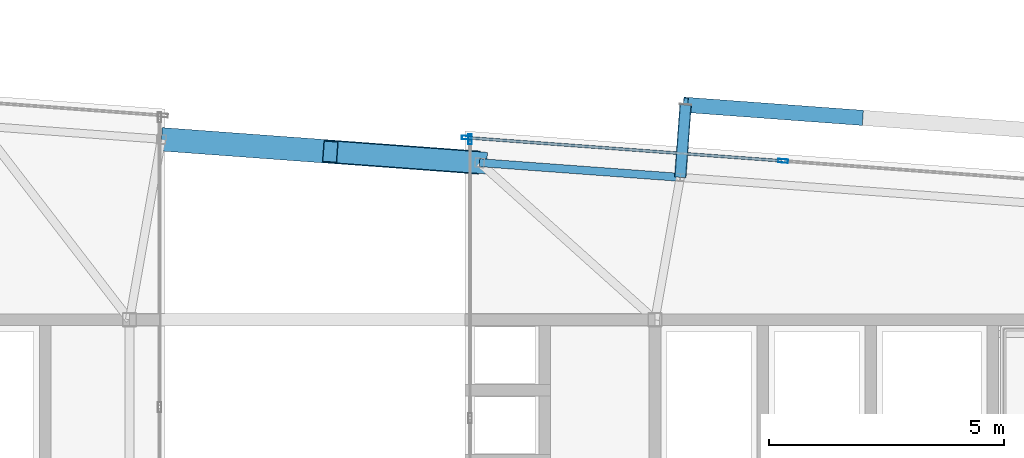
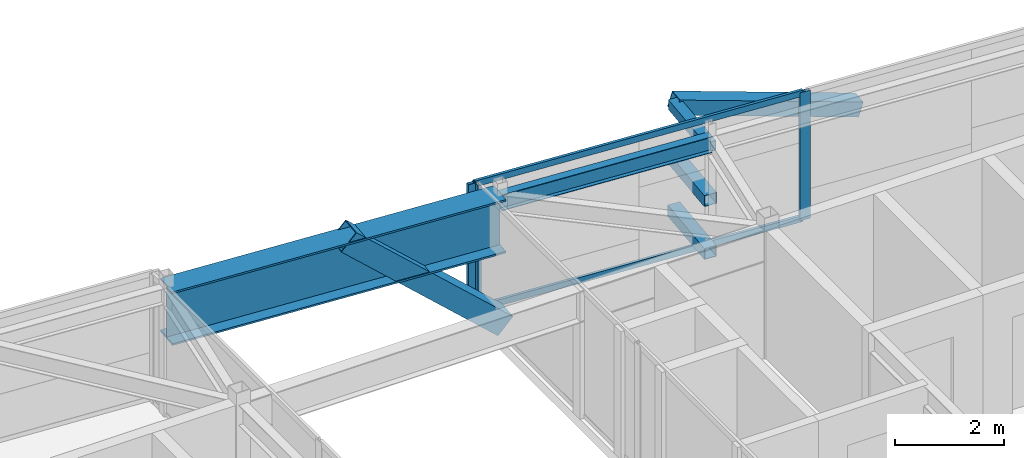
# One storey, part 25 of 40: 10 members, 2 beams, 2 elements without a shape of their own.
"""IFC4 building model written with IfcOpenShell, lengths in metres."""

from ifc_helpers import new_model, si_unit, direction, frame, origin, origin_2d, place, context, subcontext, project, spatial, hollow_rectangle, i_section, extrude, source, transform, mapped, material, layer, layer_set, material_profile, profile_set, type_object, element, aggregate, save


model = new_model("IFC4")

# Units and contexts
model_context = context("Model", 3, precision=1e-05, world=origin(), true_north=direction((0.0, 1.0)))
body_context = subcontext(model_context, "Body", "Model", "MODEL_VIEW")
ifc_project = project(units=[si_unit("LENGTHUNIT", "METRE"), si_unit("AREAUNIT", "SQUARE_METRE"), si_unit("VOLUMEUNIT", "CUBIC_METRE"), si_unit("PLANEANGLEUNIT", "RADIAN"), si_unit("MASSUNIT", "GRAM", prefix="KILO")], contexts=[model_context])

# Site, building, storey
site_placement = place(None, origin())
site = spatial("IfcSite", under=ifc_project, at=site_placement, CompositionType="ELEMENT")
building_placement = place(site_placement, origin())
building = spatial("IfcBuilding", under=site, at=building_placement, Name="Taldren Reach Tower", CompositionType="ELEMENT")
storey_placement = place(building_placement, frame((0.0, 0.0, 233.449951171875)))
storey = spatial("IfcBuildingStorey", under=building, at=storey_placement, Name="L71", CompositionType="ELEMENT", Elevation=233.449951171875)

# Members
ifc_material_1 = material(Name="Steel Gr 350 (C350L0)", Category="steel")
ifc_material_profile_1 = material_profile(ifc_material_1, hollow_rectangle(XDim=0.25, YDim=0.25, WallThickness=0.010009765625, at=origin_2d()), Name="250x250x10.0SHS")
ifc_profile_set_1 = profile_set([ifc_material_profile_1], Name="Steel Gr 350 (C350L0)")
member_type_1 = type_object("IfcMemberType", Name="MB-POST250", PredefinedType="POST", material=ifc_profile_set_1)
shared_shape_1 = source(origin(), body_context, "Body", "SweptSolid", [
    extrude(hollow_rectangle(XDim=0.25, YDim=0.25, WallThickness=0.010009765625, at=origin_2d()), origin(), (0.0, 0.0, 1.0), 1.550048828125),
])
for number, where, z_axis, x_axis, name in (
    (1, (39.739501953125, 35.035400390625, 0.219970703125), (0.07323929162, 0.997314396849, 0.0), (-0.997314396849, 0.07323929162, 0.0), "Exoskeleton base diaphragm tie strut B5-N4 L71"),
    (2, (39.739501953125, 35.035400390625, 1.405029296875), (0.07323929162, 0.997314396849, 0.0), (-0.997314396849, 0.07323929162, 0.0), "Exoskeleton mid-tier diaphragm tie B5-N4 L71"),
):
    element("IfcMember", number, at=place(storey_placement, frame(where, z_axis=z_axis, x_axis=x_axis)), inside=storey, type_object=member_type_1, Name=name, PredefinedType="POST", context=body_context, shape_type="MappedRepresentation", body=[
        mapped(shared_shape_1, transform((0.0, 0.0, 0.0), scale=1.0)),
    ])
ifc_material_2 = material(Name="Steel Gr 450 (C450L0)", Category="steel")
ifc_material_profile_2 = material_profile(ifc_material_2, hollow_rectangle(XDim=0.219970703125, YDim=0.219970703125, WallThickness=0.00830078125, at=origin_2d()), Name="220x220x8.2SHS")
ifc_profile_set_2 = profile_set([ifc_material_profile_2], Name="Steel Gr 450 (C450L0)")
member_type_2 = type_object("IfcMemberType", Name="MB-TIE219", PredefinedType="STRUT", material=ifc_profile_set_2)
shared_shape_2 = source(origin(), body_context, "Body", "SweptSolid", [
    extrude(hollow_rectangle(XDim=0.219970703125, YDim=0.219970703125, WallThickness=0.00830078125, at=origin_2d()), origin(), (0.0, 0.0, 1.0), 1.550048828125),
])
member_1_placement = place(storey_placement, frame((39.739501953125, 35.035400390625, 2.590087890625), z_axis=(0.07323929162, 0.997314396849, 0.0), x_axis=(-0.997314396849, 0.07323929162, 0.0)))
element("IfcMember", 3, at=member_1_placement, inside=storey, type_object=member_type_2, Name="Exoskeleton diaphragm tie strut B5-N4 L71", PredefinedType="STRUT", context=body_context, shape_type="MappedRepresentation", body=[
    mapped(shared_shape_2, transform((0.0, 0.0, 0.0), scale=1.0)),
])

# Beams
ifc_material_3 = material(Name="Steel Gr 350 (350PLUS)", Category="steel")
ifc_material_profile_3 = material_profile(ifc_material_3, i_section(OverallWidth=0.172119140625, OverallDepth=0.35888671875, WebThickness=0.008056640625, FlangeThickness=0.012939453125, at=origin_2d()), Name="360UB56.7")
ifc_profile_set_3 = profile_set([ifc_material_profile_3], Name="Steel Gr 350 (350PLUS)")
beam_type_1 = type_object("IfcBeamType", Name="SP-UB360", PredefinedType="SPANDREL", material=ifc_profile_set_3)
shared_shape_3 = source(origin(), body_context, "Body", "SweptSolid", [
    extrude(i_section(OverallWidth=0.172119140625, OverallDepth=0.35888671875, WebThickness=0.008056640625, FlangeThickness=0.012939453125, at=origin_2d()), origin(), (0.0, 0.0, 1.0), 4.2900390625),
])
beam_1_placement = place(storey_placement, frame((39.739501953125, 35.035400390625, 2.6904296875), z_axis=(-0.997314292471, 0.073240712948, 0.0), x_axis=(-0.073240712948, -0.997314292471, 0.0)))
element("IfcBeam", 4, at=beam_1_placement, inside=storey, type_object=beam_type_1, Name="Perimeter spandrel B5 N4-PJN2 L71", PredefinedType="SPANDREL", context=body_context, shape_type="MappedRepresentation", body=[
    mapped(shared_shape_3, transform((0.0, 0.0, 0.0), scale=1.0)),
])
ifc_material_profile_4 = material_profile(ifc_material_3, i_section(OverallWidth=0.5, OverallDepth=1.199951171875, WebThickness=0.01611328125, FlangeThickness=0.0400390625, at=origin_2d()), Name="1200WB455")
ifc_profile_set_4 = profile_set([ifc_material_profile_4], Name="Steel Gr 350 (350PLUS)")
beam_type_2 = type_object("IfcBeamType", Name="BM-WB1200", PredefinedType="BEAM", material=ifc_profile_set_4)
shared_shape_4 = source(origin(), body_context, "Body", "SweptSolid", [
    extrude(i_section(OverallWidth=0.5, OverallDepth=1.199951171875, WebThickness=0.01611328125, FlangeThickness=0.0400390625, at=origin_2d()), origin(), (0.0, 0.0, 1.0), 6.800048828125),
])
beam_2_placement = place(storey_placement, frame((35.4609375, 35.349609375, 2.27001953125), z_axis=(-0.997314185625, 0.073242167855, 0.0), x_axis=(-0.073242167855, -0.997314185625, 0.0)))
element("IfcBeam", 5, at=beam_2_placement, inside=storey, type_object=beam_type_2, Name="Wind portal lintel transfer girder B5 PJN2-PJN1 L71", PredefinedType="BEAM", context=body_context, shape_type="MappedRepresentation", body=[
    mapped(shared_shape_4, transform((0.0, 0.0, 0.0), scale=1.0)),
])

# Members
ifc_material_profile_5 = material_profile(ifc_material_2, hollow_rectangle(XDim=0.4599609375, YDim=0.4599609375, WallThickness=0.01611328125, at=origin_2d()), Name="460x460x16.0SHS")
ifc_profile_set_5 = profile_set([ifc_material_profile_5], Name="Steel Gr 450 (C450L0)")
member_type_3 = type_object("IfcMemberType", Name="MB-EXO457", PredefinedType="BRACE", material=ifc_profile_set_5)
shared_shape_5 = source(origin(), body_context, "Body", "SweptSolid", [
    extrude(hollow_rectangle(XDim=0.4599609375, YDim=0.4599609375, WallThickness=0.01611328125, at=origin_2d()), origin(), (0.0, 0.0, 1.0), 4.27783203125),
])
member_2_placement = place(storey_placement, frame((35.4609375, 35.349609375, 0.02001953125), z_axis=(-0.743712292215, 0.054618422504, 0.666264852991), x_axis=(-0.073243006424, -0.99731412404, 0.0)))
element("IfcMember", 6, at=member_2_placement, inside=storey, type_object=member_type_3, Name="Portal and block transfer strut TS-B5-N3 L71", PredefinedType="BRACE", context=body_context, shape_type="MappedRepresentation", body=[
    mapped(shared_shape_5, transform((0.0, 0.0, 0.0), scale=1.0)),
])
ifc_material_profile_6 = material_profile(ifc_material_2, hollow_rectangle(XDim=0.324951171875, YDim=0.324951171875, WallThickness=0.0126953125, at=origin_2d()), Name="325x325x12.7SHS")
ifc_profile_set_6 = profile_set([ifc_material_profile_6], Name="Steel Gr 450 (C450L0)")
member_type_4 = type_object("IfcMemberType", Name="MB-BR324", PredefinedType="BRACE", material=ifc_profile_set_6)
shared_shape_6 = source(origin(), body_context, "Body", "SweptSolid", [
    extrude(hollow_rectangle(XDim=0.324951171875, YDim=0.324951171875, WallThickness=0.0126953125, at=origin_2d()), origin(), (0.0, 0.0, 1.0), 3.92333984375),
])
member_3_placement = place(storey_placement, frame((43.5830078125, 36.307373046875, 1.405029296875), z_axis=(-0.950729270276, 0.069820542038, 0.302057852986), x_axis=(-0.07324169103, -0.997314220642, 0.0)))
element("IfcMember", 7, at=member_3_placement, inside=storey, type_object=member_type_4, Name="Exoskeleton Diagrid Brace B5-N3 L71", PredefinedType="BRACE", context=body_context, shape_type="MappedRepresentation", body=[
    mapped(shared_shape_6, transform((0.0, 0.0, 0.0), scale=1.0)),
])

# Curtain wall, members
ifc_material_4 = material(Name="Aluminium and Low-E Glass Unitised System", Category="aluminium")
ifc_layer = layer(ifc_material_4, 0.159912109375)
ifc_layer_set = layer_set([ifc_layer], Name="Aluminium and Low-E Glass Unitised System")
curtain_wall_type = type_object("IfcCurtainWallType", Name="CW-SYS-7", PredefinedType="NOTDEFINED", material=ifc_layer_set)
curtain_wall_1_placement = place(storey_placement, origin())
curtain_wall_1 = element("IfcCurtainWall", 8, at=curtain_wall_1_placement, inside=storey, type_object=curtain_wall_type, Name="Unitised curtain wall CW-L71-NEWING", PredefinedType="NOTDEFINED")
ifc_material_5 = material(Name="Anodised Aluminium 6063-T6", Category="aluminium")
ifc_material_profile_7 = material_profile(ifc_material_5, hollow_rectangle(XDim=0.06005859375, YDim=0.135009765625, WallThickness=0.00341796875, at=origin_2d()), Name="ALU-135x60x3.5RHS")
ifc_profile_set_7 = profile_set([ifc_material_profile_7], Name="Anodised Aluminium 6063-T6")
member_type_5 = type_object("IfcMemberType", Name="CW-TRN-150", PredefinedType="USERDEFINED", material=ifc_profile_set_7)
shared_shape_7 = source(origin(), body_context, "Body", "SweptSolid", [
    extrude(hollow_rectangle(XDim=0.06005859375, YDim=0.135009765625, WallThickness=0.00341796875, at=origin_2d()), origin(), (0.0, 0.0, 1.0), 6.687255859375),
])
member_4_placement = place(storey_placement, frame((41.89404296875, 35.388671875, 0.030029296875), z_axis=(-0.997314570781, 0.073236923124, 0.0), x_axis=(-0.073236923124, -0.997314570781, 0.0)))
member_4 = element("IfcMember", 9, at=member_4_placement, type_object=member_type_5, Name="CW-7 transom 3.1", ObjectType="TRANSOM", PredefinedType="USERDEFINED", context=body_context, shape_type="MappedRepresentation", body=[
    mapped(shared_shape_7, transform((0.0, 0.0, 0.0), scale=1.0)),
])
member_5_placement = place(storey_placement, frame((41.89404296875, 35.388671875, 2.840087890625), z_axis=(-0.997314570781, 0.073236923124, 0.0), x_axis=(-0.073236923124, -0.997314570781, 0.0)))
member_5 = element("IfcMember", 10, at=member_5_placement, type_object=member_type_5, Name="CW-7 transom 3.2", ObjectType="TRANSOM", PredefinedType="USERDEFINED", context=body_context, shape_type="MappedRepresentation", body=[
    mapped(shared_shape_7, transform((0.0, 0.0, 0.0), scale=1.0)),
])
ifc_material_profile_8 = material_profile(ifc_material_5, hollow_rectangle(XDim=0.074951171875, YDim=0.2099609375, WallThickness=0.00439453125, at=origin_2d()), Name="ALU-210x75x4.5RHS")
ifc_profile_set_8 = profile_set([ifc_material_profile_8], Name="Anodised Aluminium 6063-T6")
member_type_6 = type_object("IfcMemberType", Name="CW-MUL-200", PredefinedType="MULLION", material=ifc_profile_set_8)
shared_shape_8 = source(origin(), body_context, "Body", "SweptSolid", [
    extrude(hollow_rectangle(XDim=0.074951171875, YDim=0.2099609375, WallThickness=0.00439453125, at=origin_2d()), origin(), (0.0, 0.0, 1.0), 2.8701171875),
])
member_6_placement = place(storey_placement, frame((41.931396484375, 35.3857421875, 0.0), z_axis=(0.0, 0.0, 1.0), x_axis=(-0.073238215265, -0.997314475893, 0.0)))
member_6 = element("IfcMember", 11, at=member_6_placement, type_object=member_type_6, Name="CW-7 mullion 3", PredefinedType="MULLION", context=body_context, shape_type="MappedRepresentation", body=[
    mapped(shared_shape_8, transform((0.0, 0.0, 0.0), scale=1.0)),
])
member_7_placement = place(storey_placement, frame((35.1875, 35.881103515625, 0.0), z_axis=(0.0, 0.0, 1.0), x_axis=(-0.073238215265, -0.997314475893, 0.0)))
member_7 = element("IfcMember", 12, at=member_7_placement, type_object=member_type_6, Name="CW-7 mullion 4", PredefinedType="MULLION", context=body_context, shape_type="MappedRepresentation", body=[
    mapped(shared_shape_8, transform((0.0, 0.0, 0.0), scale=1.0)),
])
aggregate(curtain_wall_1, [member_6, member_7, member_4, member_5])

# Curtain wall, member
curtain_wall_2_placement = place(storey_placement, origin())
curtain_wall_2 = element("IfcCurtainWall", 13, at=curtain_wall_2_placement, inside=storey, type_object=curtain_wall_type, Name="Unitised curtain wall CW7-L71-PNE", PredefinedType="NOTDEFINED")
member_8_placement = place(storey_placement, frame((35.260009765625, 35.84619140625, 0.0), z_axis=(0.0, 0.0, 1.0), x_axis=(1.0, 0.0, 0.0)))
member_8 = element("IfcMember", 14, at=member_8_placement, type_object=member_type_6, Name="CW-7 mullion 1", PredefinedType="MULLION", context=body_context, shape_type="MappedRepresentation", body=[
    mapped(shared_shape_8, transform((0.0, 0.0, 0.0), scale=1.0)),
])
aggregate(curtain_wall_2, [member_8])

save(model, "model.ifc")
